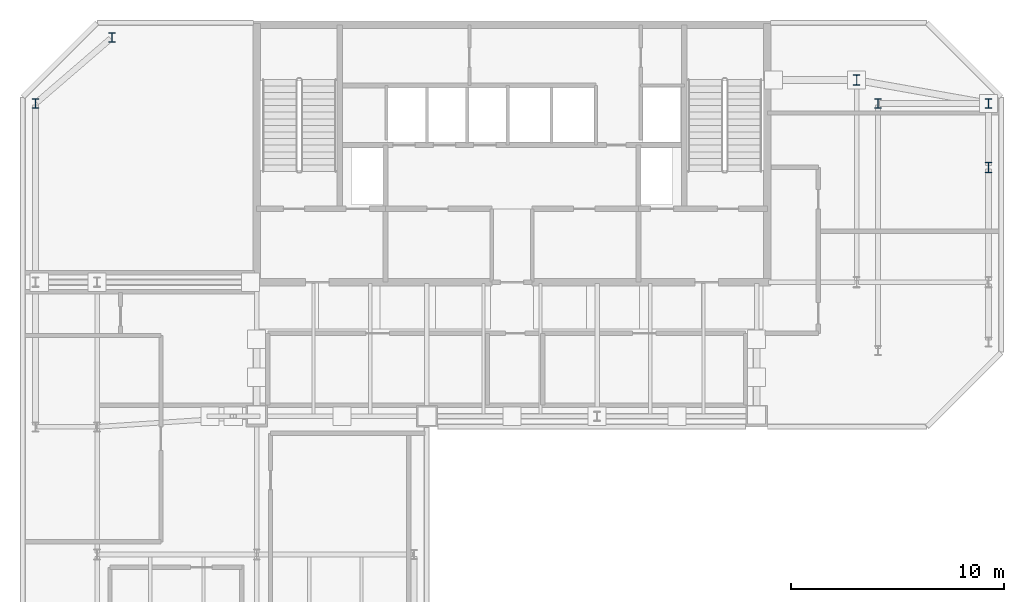
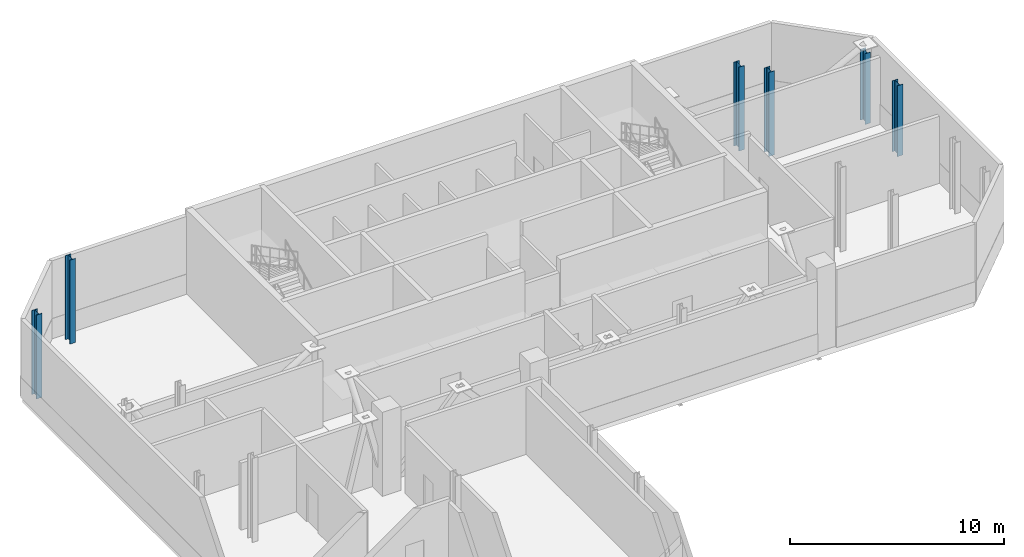
# One storey, part 2 of 7: 6 columns.
"""IFC4 building model written with IfcOpenShell, lengths in metres."""

from ifc_helpers import new_model, si_unit, direction, frame, origin, origin_2d, place, context, subcontext, project, spatial, i_section, extrude, material, material_profile, profile_set, type_object, element, save


model = new_model("IFC4")

# Units and contexts
model_context = context("Model", 3, precision=1e-05, world=origin(), true_north=direction((0.0, 1.0)))
body_context = subcontext(model_context, "Body", "Model", "MODEL_VIEW")
ifc_project = project(units=[si_unit("LENGTHUNIT", "METRE"), si_unit("AREAUNIT", "SQUARE_METRE"), si_unit("VOLUMEUNIT", "CUBIC_METRE"), si_unit("PLANEANGLEUNIT", "RADIAN"), si_unit("MASSUNIT", "GRAM", prefix="KILO")], contexts=[model_context])

# Site, building, storey
site_placement = place(None, origin())
site = spatial("IfcSite", under=ifc_project, at=site_placement, CompositionType="ELEMENT")
building_placement = place(site_placement, origin())
building = spatial("IfcBuilding", under=site, at=building_placement, Name="Catumbela Crestline Tower", CompositionType="ELEMENT")
storey_placement = place(building_placement, frame((0.0, 0.0, 208.2)))
storey = spatial("IfcBuildingStorey", under=building, at=storey_placement, Name="L54", CompositionType="ELEMENT", Elevation=208.2)

# Columns
ifc_material = material(Name="Structural steel S355J2", Category="steel")
ifc_material_profile_1 = material_profile(ifc_material, i_section(OverallWidth=0.3, OverallDepth=0.45, WebThickness=0.014, FlangeThickness=0.026, FilletRadius=0.027, at=origin_2d()), Name="HEB 450")
ifc_profile_set_1 = profile_set([ifc_material_profile_1], Name="Structural steel S355J2")
column_type_1 = type_object("IfcColumnType", Name="C-ST-HEB450", PredefinedType="COLUMN", material=ifc_profile_set_1)
for number, where, z_axis, x_axis, name in (
    (1, (5.6, 39.2, 0.0), (0.0, 0.0, 1.0), (1.0, 0.0, 0.0), "L54 Column C-05-43 (HEB 450)"),
    (2, (9.2, 42.3, 0.0), (0.0, 0.0, 1.0), (1.0, 0.0, 0.0), "L54 Column C-08-43 (HEB 450)"),
    (3, (45.2, 39.2, 0.0), (0.0, 0.0, 1.0), (1.0, 0.0, 0.0), "L54 Column C-46-43 (HEB 450)"),
):
    element("IfcColumn", number, at=place(storey_placement, frame(where, z_axis=z_axis, x_axis=x_axis)), inside=storey, type_object=column_type_1, Name=name, PredefinedType="COLUMN", context=body_context, shape_type="SweptSolid", body=[
        extrude(i_section(OverallWidth=0.3, OverallDepth=0.45, WebThickness=0.014, FlangeThickness=0.026, FilletRadius=0.027, at=origin_2d()), origin(), (0.0, 0.0, 1.0), 4.8),
    ])
column_1_placement = place(storey_placement, frame((50.4, 39.2, 0.0), z_axis=(0.0, 0.0, 1.0), x_axis=(1.0, 0.0, 0.0)))
element("IfcColumn", 4, at=column_1_placement, inside=storey, type_object=column_type_1, Name="L54 Column C-51-43 (HEB 450)", PredefinedType="COLUMN", context=body_context, shape_type="SweptSolid", body=[
    extrude(i_section(OverallWidth=0.3, OverallDepth=0.45, WebThickness=0.014, FlangeThickness=0.026, FilletRadius=0.027, at=origin_2d()), origin(), (0.0, 0.0, 1.0), 4.05),
])
ifc_material_profile_2 = material_profile(ifc_material, i_section(OverallWidth=0.3, OverallDepth=0.5, WebThickness=0.0145, FlangeThickness=0.028, FilletRadius=0.027, at=origin_2d()), Name="HEB 500")
ifc_profile_set_2 = profile_set([ifc_material_profile_2], Name="Structural steel S355J2")
column_type_2 = type_object("IfcColumnType", Name="C-ST-HEB500", PredefinedType="COLUMN", material=ifc_profile_set_2)
column_2_placement = place(storey_placement, frame((44.2, 40.3, 0.0), z_axis=(0.0, 0.0, 1.0), x_axis=(1.0, 0.0, 0.0)))
element("IfcColumn", 5, at=column_2_placement, inside=storey, type_object=column_type_2, Name="L54 Column CT-46-37 (HEB 500)", PredefinedType="COLUMN", context=body_context, shape_type="SweptSolid", body=[
    extrude(i_section(OverallWidth=0.3, OverallDepth=0.5, WebThickness=0.0145, FlangeThickness=0.028, FilletRadius=0.027, at=origin_2d()), origin(), (0.0, 0.0, 1.0), 4.8),
])
column_3_placement = place(storey_placement, frame((50.4, 36.2, 0.0), z_axis=(0.0, 0.0, 1.0), x_axis=(1.0, 0.0, 0.0)))
element("IfcColumn", 6, at=column_3_placement, inside=storey, type_object=column_type_2, Name="L54 Column CT-51-37 (HEB 500)", PredefinedType="COLUMN", context=body_context, shape_type="SweptSolid", body=[
    extrude(i_section(OverallWidth=0.3, OverallDepth=0.5, WebThickness=0.0145, FlangeThickness=0.028, FilletRadius=0.027, at=origin_2d()), origin(), (0.0, 0.0, 1.0), 4.05),
])

save(model, "model.ifc")
